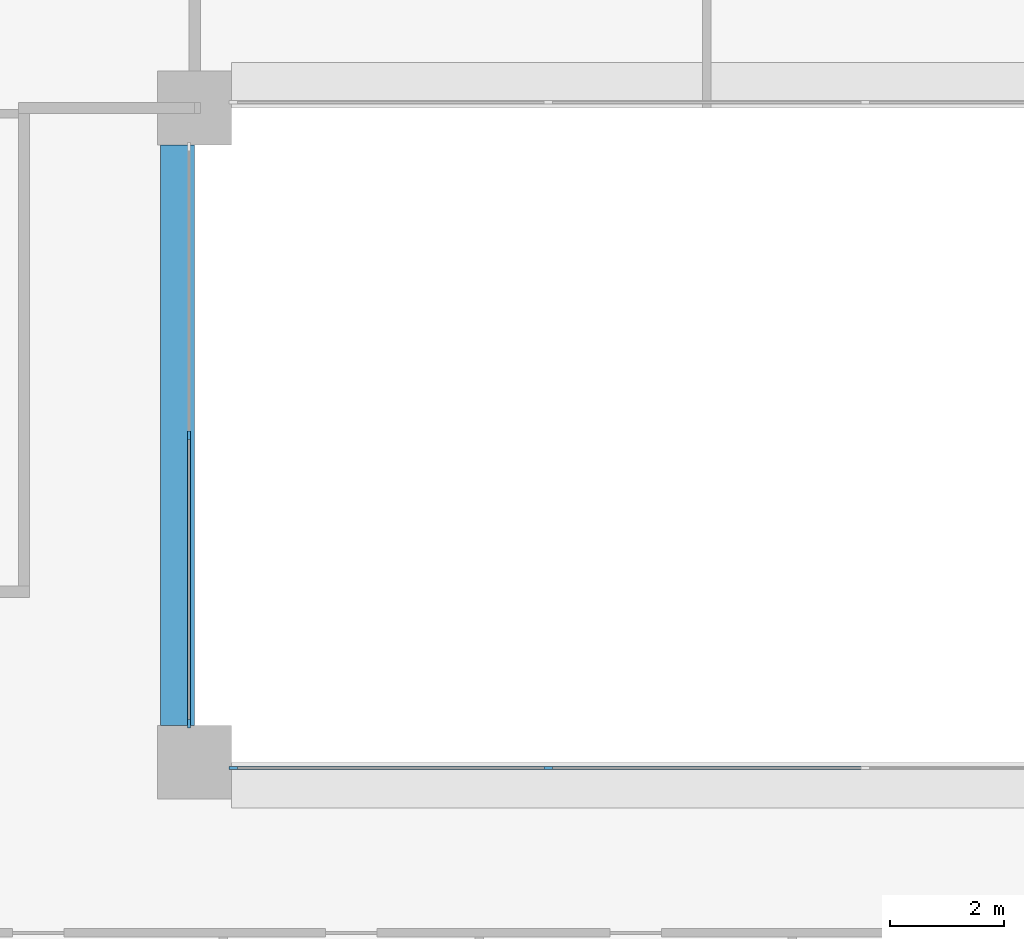
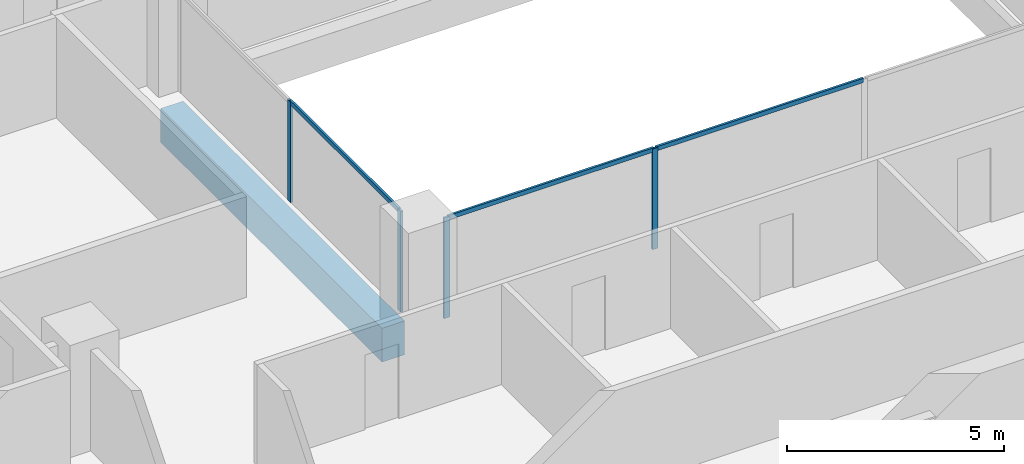
# One storey, part 2 of 16: 7 members, 1 beam, 2 elements without a shape of their own.
"""IFC4 building model written with IfcOpenShell, lengths in metres."""

from ifc_helpers import new_model, si_unit, direction, frame, origin, origin_2d, place, context, subcontext, project, spatial, rectangle, extrude, material, layer, layer_set, material_profile, profile_set, type_object, element, aggregate, save


model = new_model("IFC4")

# Units and contexts
model_context = context("Model", 3, precision=1e-05, world=origin(), true_north=direction((0.0, 1.0)))
body_context = subcontext(model_context, "Body", "Model", "MODEL_VIEW")
ifc_project = project(units=[si_unit("LENGTHUNIT", "METRE"), si_unit("AREAUNIT", "SQUARE_METRE"), si_unit("VOLUMEUNIT", "CUBIC_METRE"), si_unit("PLANEANGLEUNIT", "RADIAN"), si_unit("MASSUNIT", "GRAM", prefix="KILO")], contexts=[model_context])

# Site, building, storey
site_placement = place(None, origin())
site = spatial("IfcSite", under=ifc_project, at=site_placement, CompositionType="ELEMENT")
building_placement = place(site_placement, origin())
building = spatial("IfcBuilding", under=site, at=building_placement, Name="Brigalow Station Residences", CompositionType="ELEMENT")
storey_placement = place(building_placement, frame((0.0, 0.0, 83.550048828125)))
storey = spatial("IfcBuildingStorey", under=building, at=storey_placement, Name="L23", CompositionType="ELEMENT", Elevation=83.550048828125)

# Beam
ifc_material_1 = material(Name="Concrete C65", Category="concrete")
ifc_material_profile_1 = material_profile(ifc_material_1, rectangle(XDim=0.60009765625, YDim=0.949951171875, at=origin_2d()), Name="RC600x950")
ifc_profile_set_1 = profile_set([ifc_material_profile_1], Name="Concrete C65")
beam_type = type_object("IfcBeamType", Name="ATRIUM EDGE GIRDER 600x950 C65", PredefinedType="BEAM", material=ifc_profile_set_1)
beam_placement = place(storey_placement, frame((26.699951171875, 24.64990234375, -0.795166015625), z_axis=(0.0, 1.0, 0.0), x_axis=(-1.0, 0.0, 0.0)))
element("IfcBeam", 1, at=beam_placement, inside=storey, type_object=beam_type, Name="ATRIUM EDGE GIRDER 3 L23", PredefinedType="BEAM", context=body_context, shape_type="SweptSolid", body=[
    extrude(rectangle(XDim=0.60009765625, YDim=0.949951171875, at=origin_2d()), origin(), (0.0, 0.0, 1.0), 10.2001953125),
])

# Curtain wall, members
ifc_material_2 = material(Name="Aluminium", Category="aluminium")
ifc_layer = layer(ifc_material_2, 0.14990234375)
ifc_layer_set = layer_set([ifc_layer], Name="ATRIUM FIRE-RATED GLAZING CURTAIN WALL")
curtain_wall_type = type_object("IfcCurtainWallType", Name="ATRIUM FIRE-RATED GLAZING CURTAIN WALL", PredefinedType="NOTDEFINED", material=ifc_layer_set)
curtain_wall_1_placement = place(storey_placement, origin())
curtain_wall_1 = element("IfcCurtainWall", 2, at=curtain_wall_1_placement, inside=storey, type_object=curtain_wall_type, Name="L23/cw/atrium-S", PredefinedType="NOTDEFINED")
ifc_material_3 = material(Name="Aluminium", Category="aluminium")
ifc_material_profile_2 = material_profile(ifc_material_3, rectangle(XDim=0.06005859375, YDim=0.14990234375, at=origin_2d()), Name="ATRIUM FIRE-RATED GLAZING MULLION 60x150")
ifc_profile_set_2 = profile_set([ifc_material_profile_2], Name="Aluminium")
member_type_1 = type_object("IfcMemberType", Name="ATRIUM FIRE-RATED GLAZING MULLION 60x150", PredefinedType="MULLION", material=ifc_profile_set_2)
member_1_placement = place(storey_placement, frame((27.679931640625, 23.89990234375, 0.0), z_axis=(0.0, 0.0, 1.0), x_axis=(0.0, 1.0, 0.0)))
member_1 = element("IfcMember", 3, at=member_1_placement, type_object=member_type_1, Name="L23/cw/atrium-S/M00", PredefinedType="MULLION", context=body_context, shape_type="SweptSolid", body=[
    extrude(rectangle(XDim=0.06005859375, YDim=0.14990234375, at=origin_2d()), origin(), (0.0, 0.0, 1.0), 2.829833984375),
])
member_2_placement = place(storey_placement, frame((33.216796875, 23.89990234375, 0.0), z_axis=(0.0, 0.0, 1.0), x_axis=(0.0, 1.0, 0.0)))
member_2 = element("IfcMember", 4, at=member_2_placement, type_object=member_type_1, Name="L23/cw/atrium-S/M01", PredefinedType="MULLION", context=body_context, shape_type="SweptSolid", body=[
    extrude(rectangle(XDim=0.06005859375, YDim=0.14990234375, at=origin_2d()), origin(), (0.0, 0.0, 1.0), 2.829833984375),
])

curtain_wall_2_placement = place(storey_placement, origin())
curtain_wall_2 = element("IfcCurtainWall", 5, at=curtain_wall_2_placement, inside=storey, type_object=curtain_wall_type, Name="L23/cw/atrium-W", PredefinedType="NOTDEFINED")
member_3_placement = place(storey_placement, frame((26.89990234375, 29.75, 0.0), z_axis=(0.0, 0.0, 1.0), x_axis=(1.0, 0.0, 0.0)))
member_3 = element("IfcMember", 6, at=member_3_placement, type_object=member_type_1, Name="L23/cw/atrium-W/M01", PredefinedType="MULLION", context=body_context, shape_type="SweptSolid", body=[
    extrude(rectangle(XDim=0.06005859375, YDim=0.14990234375, at=origin_2d()), origin(), (0.0, 0.0, 1.0), 2.829833984375),
])
member_4_placement = place(storey_placement, frame((26.89990234375, 24.679931640625, 0.0), z_axis=(0.0, 0.0, 1.0), x_axis=(1.0, 0.0, 0.0)))
member_4 = element("IfcMember", 7, at=member_4_placement, type_object=member_type_1, Name="L23/cw/atrium-W/M02", PredefinedType="MULLION", context=body_context, shape_type="SweptSolid", body=[
    extrude(rectangle(XDim=0.06005859375, YDim=0.14990234375, at=origin_2d()), origin(), (0.0, 0.0, 1.0), 2.829833984375),
])

# Member
ifc_material_4 = material(Name="Aluminium", Category="aluminium")
ifc_material_profile_3 = material_profile(ifc_material_4, rectangle(XDim=0.06005859375, YDim=0.1201171875, at=origin_2d()), Name="ATRIUM FIRE-RATED GLAZING TRANSOM 60x120")
ifc_profile_set_3 = profile_set([ifc_material_profile_3], Name="Aluminium")
member_type_2 = type_object("IfcMemberType", Name="ATRIUM FIRE-RATED GLAZING TRANSOM 60x120", PredefinedType="USERDEFINED", material=ifc_profile_set_3)
member_5_placement = place(storey_placement, frame((27.7099609375, 23.89990234375, 2.800048828125), z_axis=(1.0, 0.0, 0.0), x_axis=(0.0, 1.0, 0.0)))
member_5 = element("IfcMember", 8, at=member_5_placement, type_object=member_type_2, Name="L23/cw/atrium-S/T00-00", ObjectType="TRANSOM", PredefinedType="USERDEFINED", context=body_context, shape_type="SweptSolid", body=[
    extrude(rectangle(XDim=0.06005859375, YDim=0.1201171875, at=origin_2d()), origin(), (0.0, 0.0, 1.0), 5.476806640625),
])

member_6_placement = place(storey_placement, frame((33.24658203125, 23.89990234375, 2.800048828125), z_axis=(1.0, 0.0, 0.0), x_axis=(0.0, 1.0, 0.0)))
member_6 = element("IfcMember", 9, at=member_6_placement, type_object=member_type_2, Name="L23/cw/atrium-S/T01-00", ObjectType="TRANSOM", PredefinedType="USERDEFINED", context=body_context, shape_type="SweptSolid", body=[
    extrude(rectangle(XDim=0.06005859375, YDim=0.1201171875, at=origin_2d()), origin(), (0.0, 0.0, 1.0), 5.5068359375),
])

aggregate(curtain_wall_1, [member_1, member_2, member_5, member_6])

member_7_placement = place(storey_placement, frame((26.89990234375, 29.719970703125, 2.800048828125), z_axis=(0.0, -1.0, 0.0), x_axis=(1.0, 0.0, 0.0)))
member_7 = element("IfcMember", 10, at=member_7_placement, type_object=member_type_2, Name="L23/cw/atrium-W/T01-00", ObjectType="TRANSOM", PredefinedType="USERDEFINED", context=body_context, shape_type="SweptSolid", body=[
    extrude(rectangle(XDim=0.06005859375, YDim=0.1201171875, at=origin_2d()), origin(), (0.0, 0.0, 1.0), 5.010009765625),
])

aggregate(curtain_wall_2, [member_3, member_4, member_7])

save(model, "model.ifc")
